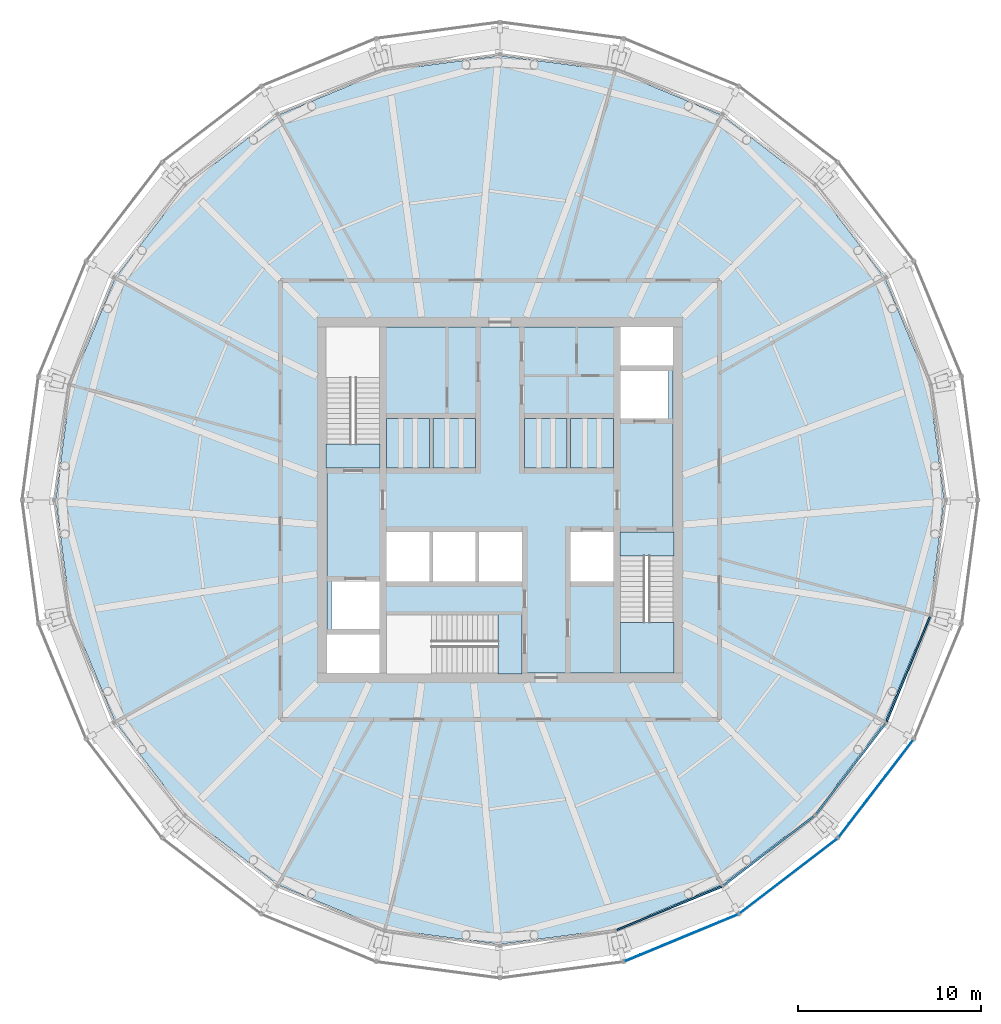
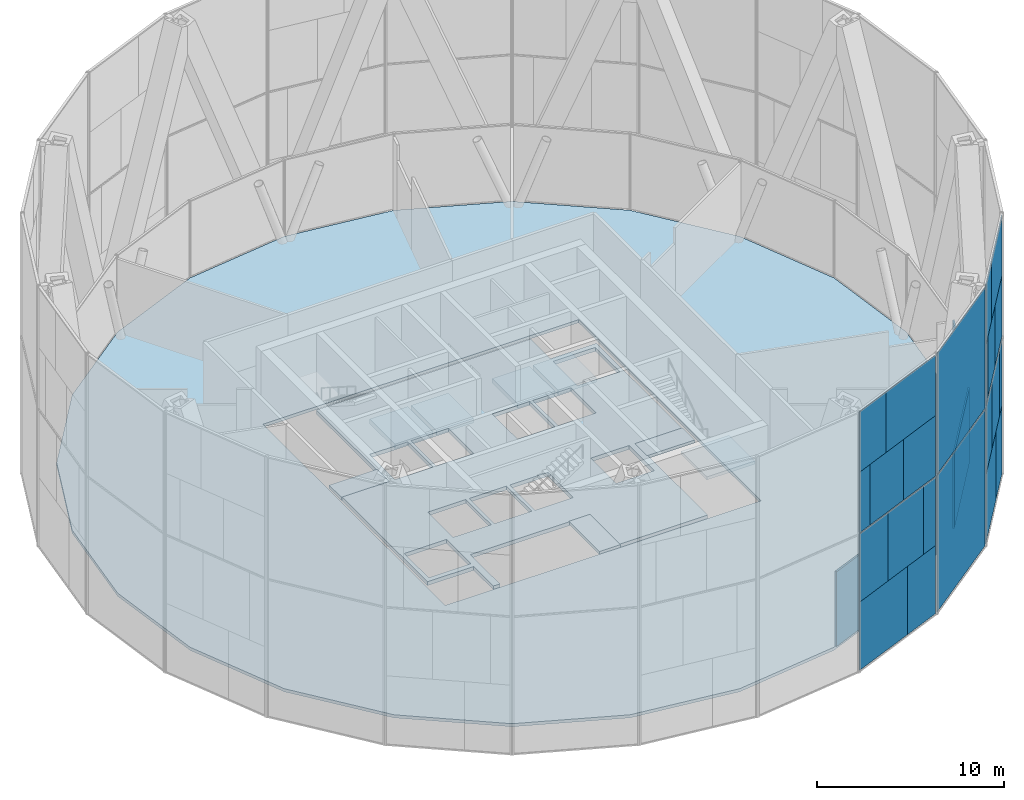
# One storey, part 11 of 17: 26 plates, 10 slabs, 8 elements without a shape of their own.
"""IFC4 building model written with IfcOpenShell, lengths in metres."""

from ifc_helpers import new_model, si_unit, direction, frame, origin, origin_2d, place, context, subcontext, project, spatial, polyline, rectangle, outline, extrude, material, layer, layer_set, type_object, element, aggregate, save


model = new_model("IFC4")

# Units and contexts
model_context = context("Model", 3, precision=1e-05, world=origin(), true_north=direction((0.0, 1.0)))
body_context = subcontext(model_context, "Body", "Model", "MODEL_VIEW")
ifc_project = project(units=[si_unit("LENGTHUNIT", "METRE"), si_unit("AREAUNIT", "SQUARE_METRE"), si_unit("VOLUMEUNIT", "CUBIC_METRE"), si_unit("PLANEANGLEUNIT", "RADIAN"), si_unit("MASSUNIT", "GRAM", prefix="KILO")], contexts=[model_context])

# Site, building, storey
site_placement = place(None, origin())
site = spatial("IfcSite", under=ifc_project, at=site_placement, CompositionType="ELEMENT")
building_placement = place(site_placement, origin())
building = spatial("IfcBuilding", under=site, at=building_placement, Name="Golbaran Civic Tower", CompositionType="ELEMENT")
storey_placement = place(building_placement, frame((0.0, 0.0, 150.0)))
storey = spatial("IfcBuildingStorey", under=building, at=storey_placement, Name="L36", CompositionType="ELEMENT", Elevation=150.0)

# Slabs
ifc_material_1 = material(Name="Concrete LC30/33 lightweight on steel deck", Category="concrete")
ifc_layer_1 = layer(ifc_material_1, 0.199951171875, Name="Concrete LC30/33 lightweight on steel deck")
ifc_layer_set_1 = layer_set([ifc_layer_1], Name="Concrete LC30/33 lightweight on steel deck")
slab_type_1 = type_object("IfcSlabType", Name="COMPOSITE FLOOR SLAB 200", PredefinedType="FLOOR", material=ifc_layer_set_1)
slab_1_placement = place(storey_placement, frame((0.0, 0.0, -0.199951171875)))
element("IfcSlab", 1, at=slab_1_placement, inside=storey, type_object=slab_type_1, Name="Floor slab L36", PredefinedType="FLOOR", context=body_context, shape_type="SweptSolid", body=[
    extrude(outline(polyline([(21.03515625, -12.144775390625), (17.175048828125, -17.175048828125), (12.144775390625, -21.03515625), (6.28662109375, -23.461669921875), (0.0, -24.289306640625), (-6.28662109375, -23.461669921875), (-12.144775390625, -21.03515625), (-17.175048828125, -17.175048828125), (-21.03515625, -12.144775390625), (-23.461669921875, -6.28662109375), (-24.289306640625, 0.0), (-23.461669921875, 6.28662109375), (-21.03515625, 12.144775390625), (-17.175048828125, 17.175048828125), (-12.144775390625, 21.03515625), (-6.28662109375, 23.461669921875), (0.0, 24.289306640625), (6.28662109375, 23.461669921875), (12.144775390625, 21.03515625), (17.175048828125, 17.175048828125), (21.03515625, 12.144775390625), (23.461669921875, 6.28662109375), (24.289306640625, 0.0), (23.461669921875, -6.28662109375), (21.03515625, -12.144775390625)]), holes=[polyline([(-9.72509765625, 9.72509765625), (-9.72509765625, -9.72509765625), (9.72509765625, -9.72509765625), (9.72509765625, 9.72509765625), (-9.72509765625, 9.72509765625)])]), origin(), (0.0, 0.0, 1.0), 0.199951171875),
])
ifc_material_2 = material(Name="Concrete C35/45", Category="concrete")
ifc_layer_2 = layer(ifc_material_2, 0.25, Name="Concrete C35/45")
ifc_layer_set_2 = layer_set([ifc_layer_2], Name="Concrete C35/45")
slab_type_2 = type_object("IfcSlabType", Name="CORE FLOOR SLAB 250", PredefinedType="FLOOR", material=ifc_layer_set_2)
slab_2_placement = place(storey_placement, frame((0.0, 0.0, -0.25)))
element("IfcSlab", 2, at=slab_2_placement, inside=storey, type_object=slab_type_2, Name="Core floor slab L36", PredefinedType="FLOOR", context=body_context, shape_type="SweptSolid", body=[
    extrude(outline(polyline([(6.60009765625, -1.75), (6.60009765625, -9.449951171875), (1.199951171875, -9.449951171875), (1.199951171875, -6.300048828125), (-6.199951171875, -6.300048828125), (-6.199951171875, -9.449951171875), (-6.60009765625, -9.449951171875), (-6.60009765625, -7.35009765625), (-9.449951171875, -7.35009765625), (-9.449951171875, 1.75), (-6.60009765625, 1.75), (-6.60009765625, 9.449951171875), (6.60009765625, 9.449951171875), (6.60009765625, 7.35009765625), (9.449951171875, 7.35009765625), (9.449951171875, -1.75), (6.60009765625, -1.75)]), holes=[polyline([(9.199951171875, 7.050048828125), (6.60009765625, 7.050048828125), (6.60009765625, 4.449951171875), (9.199951171875, 4.449951171875), (9.199951171875, 7.050048828125)]), polyline([(6.199951171875, -1.75), (3.85009765625, -1.75), (3.85009765625, -4.449951171875), (6.199951171875, -4.449951171875), (6.199951171875, -1.75)]), polyline([(6.199951171875, 4.449951171875), (3.85009765625, 4.449951171875), (3.85009765625, 1.75), (6.199951171875, 1.75), (6.199951171875, 4.449951171875)]), polyline([(3.64990234375, 4.449951171875), (1.35009765625, 4.449951171875), (1.35009765625, 1.75), (3.64990234375, 1.75), (3.64990234375, 4.449951171875)]), polyline([(1.199951171875, -1.75), (-1.14990234375, -1.75), (-1.14990234375, -4.449951171875), (1.199951171875, -4.449951171875), (1.199951171875, -1.75)]), polyline([(-1.35009765625, 4.449951171875), (-3.64990234375, 4.449951171875), (-3.64990234375, 1.75), (-1.35009765625, 1.75), (-1.35009765625, 4.449951171875)]), polyline([(-1.35009765625, -1.75), (-3.64990234375, -1.75), (-3.64990234375, -4.449951171875), (-1.35009765625, -4.449951171875), (-1.35009765625, -1.75)]), polyline([(-3.85009765625, -1.75), (-6.199951171875, -1.75), (-6.199951171875, -4.449951171875), (-3.85009765625, -4.449951171875), (-3.85009765625, -1.75)]), polyline([(-3.85009765625, 4.449951171875), (-6.199951171875, 4.449951171875), (-6.199951171875, 1.75), (-3.85009765625, 1.75), (-3.85009765625, 4.449951171875)]), polyline([(-6.60009765625, -4.449951171875), (-9.199951171875, -4.449951171875), (-9.199951171875, -7.050048828125), (-6.60009765625, -7.050048828125), (-6.60009765625, -4.449951171875)])]), origin(), (0.0, 0.0, 1.0), 0.25),
])
ifc_layer_3 = layer(ifc_material_2, 0.300048828125, Name="Concrete C35/45")
ifc_layer_set_3 = layer_set([ifc_layer_3], Name="Concrete C35/45")
slab_type_3 = type_object("IfcSlabType", Name="LIFT PIT SLAB 300", PredefinedType="FLOOR", material=ifc_layer_set_3)
slab_3_placement = place(storey_placement, frame((0.0, 0.0, 2.0)))
element("IfcSlab", 3, at=slab_3_placement, inside=storey, type_object=slab_type_3, Name="Lift pit slab Z1H", PredefinedType="FLOOR", context=body_context, shape_type="SweptSolid", body=[
    extrude(outline(polyline([(-6.199951171875, 1.75), (-3.85009765625, 1.75), (-3.85009765625, 4.449951171875), (-6.199951171875, 4.449951171875), (-6.199951171875, 1.75)])), origin(), (0.0, 0.0, 1.0), 0.300048828125),
])
slab_4_placement = place(storey_placement, frame((0.0, 0.0, 2.0)))
element("IfcSlab", 4, at=slab_4_placement, inside=storey, type_object=slab_type_3, Name="Lift pit slab Z2H", PredefinedType="FLOOR", context=body_context, shape_type="SweptSolid", body=[
    extrude(outline(polyline([(-3.64990234375, 1.75), (-1.35009765625, 1.75), (-1.35009765625, 4.449951171875), (-3.64990234375, 4.449951171875), (-3.64990234375, 1.75)])), origin(), (0.0, 0.0, 1.0), 0.300048828125),
])
slab_5_placement = place(storey_placement, frame((0.0, 0.0, 2.0)))
element("IfcSlab", 5, at=slab_5_placement, inside=storey, type_object=slab_type_3, Name="Lift pit slab Z3H", PredefinedType="FLOOR", context=body_context, shape_type="SweptSolid", body=[
    extrude(outline(polyline([(1.35009765625, 1.75), (3.64990234375, 1.75), (3.64990234375, 4.449951171875), (1.35009765625, 4.449951171875), (1.35009765625, 1.75)])), origin(), (0.0, 0.0, 1.0), 0.300048828125),
])
slab_6_placement = place(storey_placement, frame((0.0, 0.0, 2.0)))
element("IfcSlab", 6, at=slab_6_placement, inside=storey, type_object=slab_type_3, Name="Lift pit slab Z4H", PredefinedType="FLOOR", context=body_context, shape_type="SweptSolid", body=[
    extrude(outline(polyline([(3.85009765625, 1.75), (6.199951171875, 1.75), (6.199951171875, 4.449951171875), (3.85009765625, 4.449951171875), (3.85009765625, 1.75)])), origin(), (0.0, 0.0, 1.0), 0.300048828125),
])

# Curtain wall, plates
ifc_material_3 = material(Name="Aluminium and glass", Category="aluminium")
curtain_wall_type_1 = type_object("IfcCurtainWallType", Name="OUTER SKIN TERRACOTTA SCREEN", PredefinedType="NOTDEFINED", material=ifc_material_3)
curtain_wall_1_placement = place(storey_placement, origin())
curtain_wall_1 = element("IfcCurtainWall", 7, at=curtain_wall_1_placement, inside=storey, type_object=curtain_wall_type_1, Name="Outer skin L36 facet 20 CW3", ObjectType="OUTER SKIN", PredefinedType="USERDEFINED")
ifc_material_4 = material(Name="Clear laminated glass", Category="glass")
ifc_layer_4 = layer(ifc_material_4, 0.0400390625, Name="Clear laminated glass")
ifc_layer_set_4 = layer_set([ifc_layer_4], Name="Clear laminated glass")
plate_type_1 = type_object("IfcPlateType", Name="OUTER SKIN CLEAR GLASS PANEL", PredefinedType="CURTAIN_PANEL", material=ifc_layer_set_4)
plate_1_placement = place(storey_placement, frame((8.768798828125, -24.4130859375, -0.6298828125), z_axis=(0.0, 0.0, 1.0), x_axis=(0.923879532545, 0.382683432284, 0.0)))
plate_1 = element("IfcPlate", 8, at=plate_1_placement, type_object=plate_type_1, Name="CW3 panel 1.1 part 1", PredefinedType="CURTAIN_PANEL", context=body_context, shape_type="SweptSolid", body=[
    extrude(rectangle(XDim=4.179931640625, YDim=0.0400390625, at=origin_2d()), origin(), (0.0, 0.0, 1.0), 4.43994140625),
])
plate_2_placement = place(storey_placement, frame((7.97705078125, -24.740966796875, 3.81005859375), z_axis=(0.0, 0.0, 1.0), x_axis=(0.923879532545, 0.382683432284, 0.0)))
plate_2 = element("IfcPlate", 9, at=plate_2_placement, type_object=plate_type_1, Name="CW3 panel 1.1 part 3", PredefinedType="CURTAIN_PANEL", context=body_context, shape_type="SweptSolid", body=[
    extrude(rectangle(XDim=2.466064453125, YDim=0.0400390625, at=origin_2d()), origin(), (0.0, 0.0, 1.0), 4.43994140625),
])
plate_3_placement = place(storey_placement, frame((12.4921875, -22.870849609375, 3.81005859375), z_axis=(0.0, 0.0, 1.0), x_axis=(0.923879532545, 0.382683432284, 0.0)))
plate_3 = element("IfcPlate", 10, at=plate_3_placement, type_object=plate_type_1, Name="CW3 panel 1.1 part 5", PredefinedType="CURTAIN_PANEL", context=body_context, shape_type="SweptSolid", body=[
    extrude(rectangle(XDim=1.084228515625, YDim=0.0400390625, at=origin_2d()), origin(), (0.0, 0.0, 1.0), 4.43994140625),
])
plate_4_placement = place(storey_placement, frame((7.259521484375, -25.0380859375, 8.330078125), z_axis=(0.0, 0.0, 1.0), x_axis=(0.923879532545, 0.382683432284, 0.0)))
plate_4 = element("IfcPlate", 11, at=plate_4_placement, type_object=plate_type_1, Name="CW3 panel 1.2 part 1", PredefinedType="CURTAIN_PANEL", context=body_context, shape_type="SweptSolid", body=[
    extrude(rectangle(XDim=0.9130859375, YDim=0.0400390625, at=origin_2d()), origin(), (0.0, 0.0, 1.0), 3.93994140625),
])
plate_5_placement = place(storey_placement, frame((11.68505859375, -23.205078125, 8.330078125), z_axis=(0.0, 0.0, 1.0), x_axis=(0.923879532545, 0.382683432284, 0.0)))
plate_5 = element("IfcPlate", 12, at=plate_5_placement, type_object=plate_type_1, Name="CW3 panel 1.2 part 3", PredefinedType="CURTAIN_PANEL", context=body_context, shape_type="SweptSolid", body=[
    extrude(rectangle(XDim=2.831298828125, YDim=0.0400390625, at=origin_2d()), origin(), (0.0, 0.0, 1.0), 3.93994140625),
])
plate_6_placement = place(storey_placement, frame((10.982177734375, -23.496337890625, 12.27001953125), z_axis=(0.0, 0.0, 1.0), x_axis=(0.923879532545, 0.382683432284, 0.0)))
plate_6 = element("IfcPlate", 13, at=plate_6_placement, type_object=plate_type_1, Name="CW3 panel 1.2 part 5", PredefinedType="CURTAIN_PANEL", context=body_context, shape_type="SweptSolid", body=[
    extrude(rectangle(XDim=4.353271484375, YDim=0.0400390625, at=origin_2d()), origin(), (0.0, 0.0, 1.0), 3.93994140625),
])

curtain_wall_2_placement = place(storey_placement, origin())
curtain_wall_2 = element("IfcCurtainWall", 14, at=curtain_wall_2_placement, inside=storey, type_object=curtain_wall_type_1, Name="Outer skin L36 facet 22 CW3", ObjectType="OUTER SKIN", PredefinedType="USERDEFINED")
plate_7_placement = place(storey_placement, frame((19.800537109375, -16.758056640625, -0.6298828125), z_axis=(0.0, 0.0, 1.0), x_axis=(0.608761428981, 0.793353340312, 0.0)))
plate_7 = element("IfcPlate", 15, at=plate_7_placement, type_object=plate_type_1, Name="CW3 panel 1.1 part 1", PredefinedType="CURTAIN_PANEL", context=body_context, shape_type="SweptSolid", body=[
    extrude(rectangle(XDim=4.179931640625, YDim=0.0400390625, at=origin_2d()), origin(), (0.0, 0.0, 1.0), 4.43994140625),
])
plate_8_placement = place(storey_placement, frame((19.27880859375, -17.437744140625, 3.81005859375), z_axis=(0.0, 0.0, 1.0), x_axis=(0.608761428981, 0.793353340312, 0.0)))
plate_8 = element("IfcPlate", 16, at=plate_8_placement, type_object=plate_type_1, Name="CW3 panel 1.1 part 3", PredefinedType="CURTAIN_PANEL", context=body_context, shape_type="SweptSolid", body=[
    extrude(rectangle(XDim=2.466064453125, YDim=0.0400390625, at=origin_2d()), origin(), (0.0, 0.0, 1.0), 4.43994140625),
])
plate_9_placement = place(storey_placement, frame((22.25390625, -13.560546875, 3.81005859375), z_axis=(0.0, 0.0, 1.0), x_axis=(0.608761428981, 0.793353340312, 0.0)))
plate_9 = element("IfcPlate", 17, at=plate_9_placement, type_object=plate_type_1, Name="CW3 panel 1.1 part 5", PredefinedType="CURTAIN_PANEL", context=body_context, shape_type="SweptSolid", body=[
    extrude(rectangle(XDim=1.084228515625, YDim=0.0400390625, at=origin_2d()), origin(), (0.0, 0.0, 1.0), 4.43994140625),
])
plate_10_placement = place(storey_placement, frame((18.80615234375, -18.053955078125, 8.330078125), z_axis=(0.0, 0.0, 1.0), x_axis=(0.608761428981, 0.793353340312, 0.0)))
plate_10 = element("IfcPlate", 18, at=plate_10_placement, type_object=plate_type_1, Name="CW3 panel 1.2 part 1", PredefinedType="CURTAIN_PANEL", context=body_context, shape_type="SweptSolid", body=[
    extrude(rectangle(XDim=0.9130859375, YDim=0.0400390625, at=origin_2d()), origin(), (0.0, 0.0, 1.0), 3.93994140625),
])
plate_11_placement = place(storey_placement, frame((21.72216796875, -14.253662109375, 8.330078125), z_axis=(0.0, 0.0, 1.0), x_axis=(0.608761428981, 0.793353340312, 0.0)))
plate_11 = element("IfcPlate", 19, at=plate_11_placement, type_object=plate_type_1, Name="CW3 panel 1.2 part 3", PredefinedType="CURTAIN_PANEL", context=body_context, shape_type="SweptSolid", body=[
    extrude(rectangle(XDim=2.831298828125, YDim=0.0400390625, at=origin_2d()), origin(), (0.0, 0.0, 1.0), 3.93994140625),
])
plate_12_placement = place(storey_placement, frame((21.259033203125, -14.857421875, 12.27001953125), z_axis=(0.0, 0.0, 1.0), x_axis=(0.608761428981, 0.793353340312, 0.0)))
plate_12 = element("IfcPlate", 20, at=plate_12_placement, type_object=plate_type_1, Name="CW3 panel 1.2 part 5", PredefinedType="CURTAIN_PANEL", context=body_context, shape_type="SweptSolid", body=[
    extrude(rectangle(XDim=4.353271484375, YDim=0.0400390625, at=origin_2d()), origin(), (0.0, 0.0, 1.0), 3.93994140625),
])

# Plate
ifc_material_5 = material(Name="Terracotta baguette screen", Category="masonry")
ifc_layer_5 = layer(ifc_material_5, 0.0400390625, Name="Terracotta baguette screen")
ifc_layer_set_5 = layer_set([ifc_layer_5], Name="Terracotta baguette screen")
plate_type_2 = type_object("IfcPlateType", Name="OUTER SKIN TERRACOTTA INFILL PANEL", PredefinedType="CURTAIN_PANEL", material=ifc_layer_set_5)
plate_13_placement = place(storey_placement, frame((11.846435546875, -23.13818359375, -0.6298828125), z_axis=(0.0, 0.0, 1.0), x_axis=(0.923879532545, 0.382683432284, 0.0)))
plate_13 = element("IfcPlate", 21, at=plate_13_placement, type_object=plate_type_2, Name="CW3 infill panel 1.1 part 2", PredefinedType="CURTAIN_PANEL", context=body_context, shape_type="SweptSolid", body=[
    extrude(rectangle(XDim=2.482421875, YDim=0.0400390625, at=origin_2d()), origin(), (0.0, 0.0, 1.0), 4.43994140625),
])

plate_14_placement = place(storey_placement, frame((10.5537109375, -23.673828125, 3.81005859375), z_axis=(0.0, 0.0, 1.0), x_axis=(0.923879532545, 0.382683432284, 0.0)))
plate_14 = element("IfcPlate", 22, at=plate_14_placement, type_object=plate_type_2, Name="CW3 infill panel 1.1 part 4", PredefinedType="CURTAIN_PANEL", context=body_context, shape_type="SweptSolid", body=[
    extrude(rectangle(XDim=3.112060546875, YDim=0.0400390625, at=origin_2d()), origin(), (0.0, 0.0, 1.0), 4.43994140625),
])

plate_15_placement = place(storey_placement, frame((9.029296875, -24.30517578125, 8.330078125), z_axis=(0.0, 0.0, 1.0), x_axis=(0.923879532545, 0.382683432284, 0.0)))
plate_15 = element("IfcPlate", 23, at=plate_15_placement, type_object=plate_type_2, Name="CW3 infill panel 1.2 part 2", PredefinedType="CURTAIN_PANEL", context=body_context, shape_type="SweptSolid", body=[
    extrude(rectangle(XDim=2.91796875, YDim=0.0400390625, at=origin_2d()), origin(), (0.0, 0.0, 1.0), 3.93994140625),
])

plate_16_placement = place(storey_placement, frame((7.904541015625, -24.77099609375, 12.27001953125), z_axis=(0.0, 0.0, 1.0), x_axis=(0.923879532545, 0.382683432284, 0.0)))
plate_16 = element("IfcPlate", 24, at=plate_16_placement, type_object=plate_type_2, Name="CW3 infill panel 1.2 part 4", PredefinedType="CURTAIN_PANEL", context=body_context, shape_type="SweptSolid", body=[
    extrude(rectangle(XDim=2.30908203125, YDim=0.0400390625, at=origin_2d()), origin(), (0.0, 0.0, 1.0), 3.93994140625),
])

aggregate(curtain_wall_1, [plate_1, plate_13, plate_2, plate_14, plate_3, plate_4, plate_15, plate_5, plate_16, plate_6])

plate_17_placement = place(storey_placement, frame((21.828369140625, -14.115234375, -0.6298828125), z_axis=(0.0, 0.0, 1.0), x_axis=(0.608761428981, 0.793353340312, 0.0)))
plate_17 = element("IfcPlate", 25, at=plate_17_placement, type_object=plate_type_2, Name="CW3 infill panel 1.1 part 2", PredefinedType="CURTAIN_PANEL", context=body_context, shape_type="SweptSolid", body=[
    extrude(rectangle(XDim=2.482421875, YDim=0.0400390625, at=origin_2d()), origin(), (0.0, 0.0, 1.0), 4.43994140625),
])

plate_18_placement = place(storey_placement, frame((20.9765625, -15.22509765625, 3.81005859375), z_axis=(0.0, 0.0, 1.0), x_axis=(0.608761428981, 0.793353340312, 0.0)))
plate_18 = element("IfcPlate", 26, at=plate_18_placement, type_object=plate_type_2, Name="CW3 infill panel 1.1 part 4", PredefinedType="CURTAIN_PANEL", context=body_context, shape_type="SweptSolid", body=[
    extrude(rectangle(XDim=3.112060546875, YDim=0.0400390625, at=origin_2d()), origin(), (0.0, 0.0, 1.0), 4.43994140625),
])

plate_19_placement = place(storey_placement, frame((19.97216796875, -16.5341796875, 8.330078125), z_axis=(0.0, 0.0, 1.0), x_axis=(0.608761428981, 0.793353340312, 0.0)))
plate_19 = element("IfcPlate", 27, at=plate_19_placement, type_object=plate_type_2, Name="CW3 infill panel 1.2 part 2", PredefinedType="CURTAIN_PANEL", context=body_context, shape_type="SweptSolid", body=[
    extrude(rectangle(XDim=2.91796875, YDim=0.0400390625, at=origin_2d()), origin(), (0.0, 0.0, 1.0), 3.93994140625),
])

plate_20_placement = place(storey_placement, frame((19.23095703125, -17.500244140625, 12.27001953125), z_axis=(0.0, 0.0, 1.0), x_axis=(0.608761428981, 0.793353340312, 0.0)))
plate_20 = element("IfcPlate", 28, at=plate_20_placement, type_object=plate_type_2, Name="CW3 infill panel 1.2 part 4", PredefinedType="CURTAIN_PANEL", context=body_context, shape_type="SweptSolid", body=[
    extrude(rectangle(XDim=2.30908203125, YDim=0.0400390625, at=origin_2d()), origin(), (0.0, 0.0, 1.0), 3.93994140625),
])

aggregate(curtain_wall_2, [plate_7, plate_17, plate_8, plate_18, plate_9, plate_10, plate_19, plate_11, plate_20, plate_12])

# Curtain wall, plates
curtain_wall_3_placement = place(storey_placement, origin())
curtain_wall_3 = element("IfcCurtainWall", 29, at=curtain_wall_3_placement, inside=storey, type_object=curtain_wall_type_1, Name="Outer skin L36 facet 21 CW3", ObjectType="OUTER SKIN", PredefinedType="USERDEFINED")
ifc_layer_6 = layer(ifc_material_5, 0.0400390625, Name="Terracotta baguette screen")
ifc_layer_set_6 = layer_set([ifc_layer_6], Name="Terracotta baguette screen")
plate_type_3 = type_object("IfcPlateType", Name="OUTER SKIN TERRACOTTA SCREEN PANEL", PredefinedType="CURTAIN_PANEL", material=ifc_layer_set_6)
plate_21_placement = place(storey_placement, frame((15.773193359375, -20.55615234375, -0.6298828125), z_axis=(0.0, 0.0, 1.0), x_axis=(0.793353340312, 0.608761428981, 0.0)))
plate_21 = element("IfcPlate", 30, at=plate_21_placement, type_object=plate_type_3, Name="CW3 terracotta screen panel 1.1", PredefinedType="CURTAIN_PANEL", context=body_context, shape_type="SweptSolid", body=[
    extrude(rectangle(XDim=6.662353515625, YDim=0.0400390625, at=origin_2d()), origin(), (0.0, 0.0, 1.0), 8.8798828125),
])
plate_22_placement = place(storey_placement, frame((15.773193359375, -20.55615234375, 8.330078125), z_axis=(0.0, 0.0, 1.0), x_axis=(0.793353340312, 0.608761428981, 0.0)))
plate_22 = element("IfcPlate", 31, at=plate_22_placement, type_object=plate_type_3, Name="CW3 terracotta screen panel 1.2", PredefinedType="CURTAIN_PANEL", context=body_context, shape_type="SweptSolid", body=[
    extrude(rectangle(XDim=6.662353515625, YDim=0.0400390625, at=origin_2d()), origin(), (0.0, 0.0, 1.0), 7.8798828125),
])
aggregate(curtain_wall_3, [plate_21, plate_22])

# Curtain wall, plate
curtain_wall_type_2 = type_object("IfcCurtainWallType", Name="PLANT FLOOR LOUVRE WALL", PredefinedType="NOTDEFINED", material=ifc_material_3)
curtain_wall_4_placement = place(storey_placement, origin())
curtain_wall_4 = element("IfcCurtainWall", 32, at=curtain_wall_4_placement, inside=storey, type_object=curtain_wall_type_2, Name="Inner skin L36 facet 20 CW6", ObjectType="PLANT LOUVRE WALL", PredefinedType="USERDEFINED")
ifc_material_6 = material(Name="Aluminium louvre", Category="aluminium")
ifc_layer_7 = layer(ifc_material_6, 0.10009765625, Name="Aluminium louvre")
ifc_layer_set_7 = layer_set([ifc_layer_7], Name="Aluminium louvre")
plate_type_4 = type_object("IfcPlateType", Name="PLANT FLOOR LOUVRE WALL LOUVRE PANEL", PredefinedType="CURTAIN_PANEL", material=ifc_layer_set_7)
plate_23_placement = place(storey_placement, frame((9.24609375, -22.322265625, 0.06982421875), z_axis=(0.0, 0.0, 1.0), x_axis=(0.923879532485, 0.38268343243, 0.0)))
plate_23 = element("IfcPlate", 33, at=plate_23_placement, type_object=plate_type_4, Name="CW6 panel 1.1", PredefinedType="CURTAIN_PANEL", context=body_context, shape_type="SweptSolid", body=[
    extrude(rectangle(XDim=6.221923828125, YDim=0.10009765625, at=origin_2d()), origin(), (0.0, 0.0, 1.0), 4.860107421875),
])
aggregate(curtain_wall_4, [plate_23])

curtain_wall_5_placement = place(storey_placement, origin())
curtain_wall_5 = element("IfcCurtainWall", 34, at=curtain_wall_5_placement, inside=storey, type_object=curtain_wall_type_2, Name="Inner skin L36 facet 21 CW6", ObjectType="PLANT LOUVRE WALL", PredefinedType="USERDEFINED")
plate_24_placement = place(storey_placement, frame((14.70849609375, -19.168701171875, 0.06982421875), z_axis=(0.0, 0.0, 1.0), x_axis=(0.793353340376, 0.608761428898, 0.0)))
plate_24 = element("IfcPlate", 35, at=plate_24_placement, type_object=plate_type_4, Name="CW6 panel 1.1", PredefinedType="CURTAIN_PANEL", context=body_context, shape_type="SweptSolid", body=[
    extrude(rectangle(XDim=6.221923828125, YDim=0.10009765625, at=origin_2d()), origin(), (0.0, 0.0, 1.0), 4.860107421875),
])
aggregate(curtain_wall_5, [plate_24])

curtain_wall_6_placement = place(storey_placement, origin())
curtain_wall_6 = element("IfcCurtainWall", 36, at=curtain_wall_6_placement, inside=storey, type_object=curtain_wall_type_2, Name="Inner skin L36 facet 22 CW6", ObjectType="PLANT LOUVRE WALL", PredefinedType="USERDEFINED")
plate_25_placement = place(storey_placement, frame((19.168701171875, -14.70849609375, 0.06982421875), z_axis=(0.0, 0.0, 1.0), x_axis=(0.608761428898, 0.793353340376, 0.0)))
plate_25 = element("IfcPlate", 37, at=plate_25_placement, type_object=plate_type_4, Name="CW6 panel 1.1", PredefinedType="CURTAIN_PANEL", context=body_context, shape_type="SweptSolid", body=[
    extrude(rectangle(XDim=6.221923828125, YDim=0.10009765625, at=origin_2d()), origin(), (0.0, 0.0, 1.0), 4.860107421875),
])
aggregate(curtain_wall_6, [plate_25])

curtain_wall_7_placement = place(storey_placement, origin())
curtain_wall_7 = element("IfcCurtainWall", 38, at=curtain_wall_7_placement, inside=storey, type_object=curtain_wall_type_2, Name="Inner skin L36 facet 23 CW6", ObjectType="PLANT LOUVRE WALL", PredefinedType="USERDEFINED")
plate_26_placement = place(storey_placement, frame((22.322265625, -9.24609375, 0.06982421875), z_axis=(0.0, 0.0, 1.0), x_axis=(0.38268343243, 0.923879532485, 0.0)))
plate_26 = element("IfcPlate", 39, at=plate_26_placement, type_object=plate_type_4, Name="CW6 panel 1.1", PredefinedType="CURTAIN_PANEL", context=body_context, shape_type="SweptSolid", body=[
    extrude(rectangle(XDim=6.221923828125, YDim=0.10009765625, at=origin_2d()), origin(), (0.0, 0.0, 1.0), 4.860107421875),
])
aggregate(curtain_wall_7, [plate_26])

# Slab
ifc_layer_8 = layer(ifc_material_2, 0.199951171875, Name="Concrete C35/45")
ifc_layer_set_8 = layer_set([ifc_layer_8], Name="Concrete C35/45")
slab_type_4 = type_object("IfcSlabType", Name="STAIR LANDING 200", PredefinedType="LANDING", material=ifc_layer_set_8)
slab_7_placement = place(storey_placement, frame((0.0, 0.0, -0.199951171875)))
element("IfcSlab", 40, at=slab_7_placement, inside=storey, type_object=slab_type_4, Name="Stair S1 floor landing L36", PredefinedType="LANDING", context=body_context, shape_type="SweptSolid", body=[
    extrude(outline(polyline([(-9.5, 1.75), (-9.5, 3.054931640625), (-6.550048828125, 3.054931640625), (-6.550048828125, 1.75), (-9.5, 1.75)])), origin(), (0.0, 0.0, 1.0), 0.199951171875),
])

# Stair, slab
stair_type = type_object("IfcStairType", Name="EXIT STAIR 2850 x 7700, 5000 RISE", PredefinedType="HALF_TURN_STAIR", material=ifc_material_2)
stair_placement = place(storey_placement, origin())
stair = element("IfcStair", 41, at=stair_placement, inside=storey, type_object=stair_type, Name="Stair S2 L36", PredefinedType="HALF_TURN_STAIR")
slab_8_placement = place(storey_placement, frame((0.0, 0.0, 2.300048828125)))
slab_8 = element("IfcSlab", 42, at=slab_8_placement, type_object=slab_type_4, Name="ST28577-50 landing 1", PredefinedType="LANDING", context=body_context, shape_type="SweptSolid", body=[
    extrude(outline(polyline([(9.5, -6.68505859375), (9.5, -9.449951171875), (6.550048828125, -9.449951171875), (6.550048828125, -6.68505859375), (9.5, -6.68505859375)])), origin(), (0.0, 0.0, 1.0), 0.199951171875),
])
aggregate(stair, [slab_8])

# Slabs
slab_9_placement = place(storey_placement, frame((0.0, 0.0, -0.199951171875)))
element("IfcSlab", 43, at=slab_9_placement, inside=storey, type_object=slab_type_4, Name="Stair S2 floor landing L36", PredefinedType="LANDING", context=body_context, shape_type="SweptSolid", body=[
    extrude(outline(polyline([(9.5, -1.75), (9.5, -3.054931640625), (6.550048828125, -3.054931640625), (6.550048828125, -1.75), (9.5, -1.75)])), origin(), (0.0, 0.0, 1.0), 0.199951171875),
])
slab_10_placement = place(storey_placement, frame((0.0, 0.0, -0.199951171875)))
element("IfcSlab", 44, at=slab_10_placement, inside=storey, type_object=slab_type_4, Name="Stair S3 floor landing L36", PredefinedType="LANDING", context=body_context, shape_type="SweptSolid", body=[
    extrude(outline(polyline([(1.199951171875, -9.5), (-0.10498046875, -9.5), (-0.10498046875, -6.25), (1.199951171875, -6.25), (1.199951171875, -9.5)])), origin(), (0.0, 0.0, 1.0), 0.199951171875),
])

save(model, "model.ifc")
